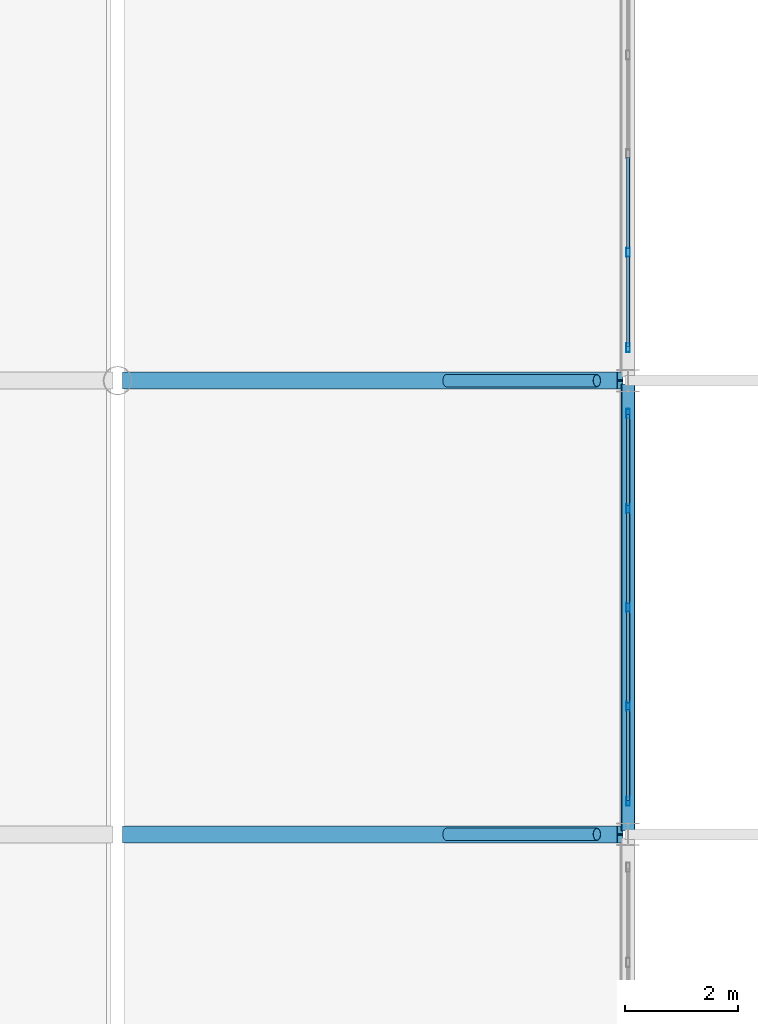
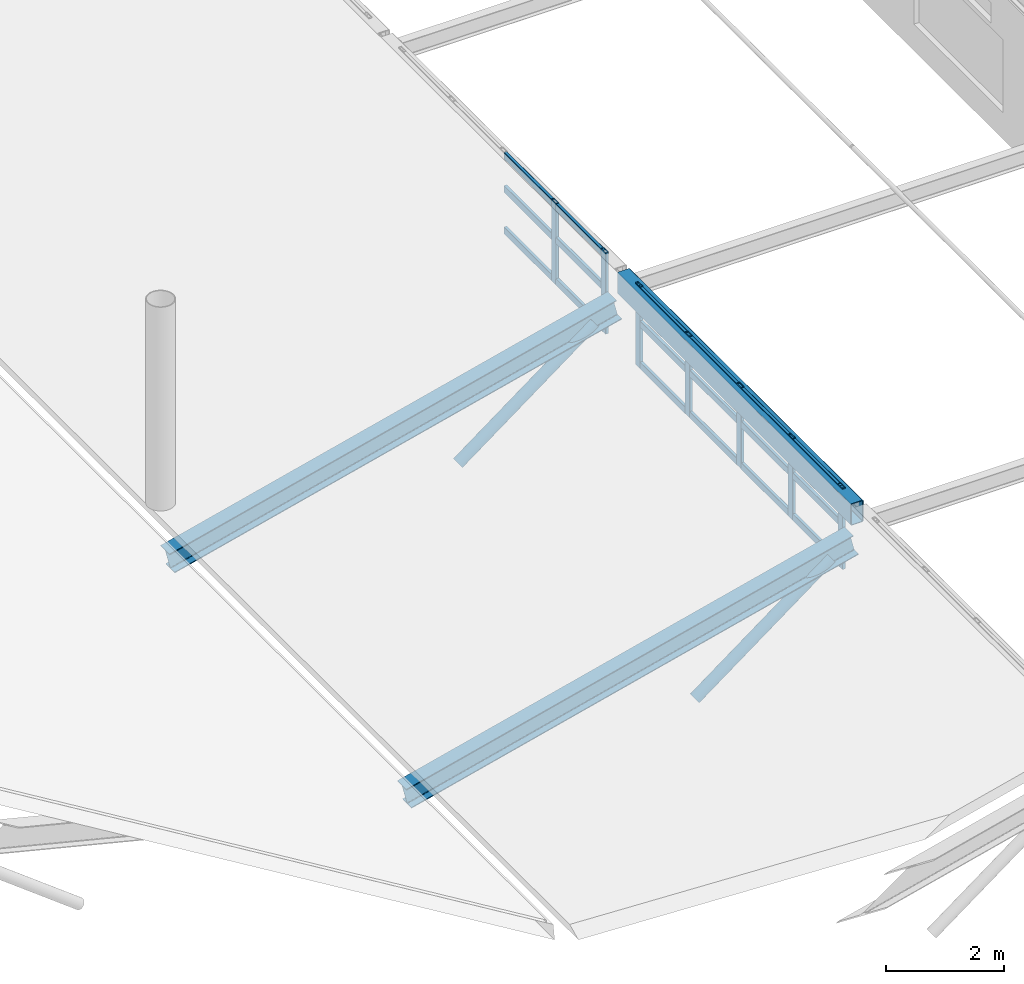
# One storey, part 19 of 128: 27 members, 3 beams, 2 elements without a shape of their own.
"""IFC4 building model written with IfcOpenShell, lengths in metres."""

from ifc_helpers import new_model, si_unit, derived_unit, direction, frame, origin, origin_2d, place, context, subcontext, project, spatial, hollow_rectangle, hollow_circle, i_section, extrude, material, material_profile, profile_set, type_object, element, aggregate, save


model = new_model("IFC4")

# Units and contexts
model_context = context("Model", 3, precision=1e-05, world=origin(), true_north=direction((0.0, 1.0)))
body_context = subcontext(model_context, "Body", "Model", "MODEL_VIEW")
ifc_project = project(units=[si_unit("LENGTHUNIT", "METRE"), si_unit("AREAUNIT", "SQUARE_METRE"), si_unit("VOLUMEUNIT", "CUBIC_METRE"), si_unit("PLANEANGLEUNIT", "RADIAN"), si_unit("MASSUNIT", "GRAM", prefix="KILO"), derived_unit("THERMALTRANSMITTANCEUNIT", [(si_unit("MASSUNIT", "GRAM", prefix="KILO"), 1), (si_unit("TIMEUNIT", "SECOND"), -3), (si_unit("THERMODYNAMICTEMPERATUREUNIT", "KELVIN"), -1)])], contexts=[model_context])

# Site, building, storey
site_placement = place(None, origin())
site = spatial("IfcSite", under=ifc_project, at=site_placement, CompositionType="ELEMENT")
building_placement = place(site_placement, origin())
building = spatial("IfcBuilding", under=site, at=building_placement, Name="Zhenchuan Archway Interchange", CompositionType="ELEMENT")
storey_placement = place(building_placement, frame((0.0, 0.0, 14.39990234375)))
storey = spatial("IfcBuildingStorey", under=building, at=storey_placement, Name="L03", CompositionType="ELEMENT", Elevation=14.39990234375)

# Beams
ifc_material_1 = material(Name="Steel Q390", Category="steel")
ifc_material_profile_1 = material_profile(ifc_material_1, hollow_rectangle(XDim=0.25, YDim=0.449951171875, WallThickness=0.013916015625, InnerFilletRadius=0.013916015625, OuterFilletRadius=0.028076171875, at=origin_2d()), Name="RHS 450x250x14")
ifc_profile_set_1 = profile_set([ifc_material_profile_1], Name="Steel Q390")
beam_type_1 = type_object("IfcBeamType", Name="BM_RING_RHS450", PredefinedType="BEAM", material=ifc_profile_set_1)
beam_placement = place(storey_placement, frame((27.0, 32.06005859375, 1.4501953125), z_axis=(0.0, 1.0, 0.0), x_axis=(-1.0, 0.0, 0.0)))
element("IfcBeam", 1, at=beam_placement, inside=storey, type_object=beam_type_1, Name="CONCOURSE CABLE-NET RING BEAM W-2", PredefinedType="BEAM", context=body_context, shape_type="SweptSolid", body=[
    extrude(hollow_rectangle(XDim=0.25, YDim=0.449951171875, WallThickness=0.013916015625, InnerFilletRadius=0.013916015625, OuterFilletRadius=0.028076171875, at=origin_2d()), origin(), (0.0, 0.0, 1.0), 7.8798828125),
])
ifc_material_2 = material(Name="Steel Q355", Category="steel")
ifc_material_profile_2 = material_profile(ifc_material_2, i_section(OverallWidth=0.300048828125, OverallDepth=0.43994140625, WebThickness=0.010986328125, FlangeThickness=0.01806640625, FilletRadius=0.02197265625, at=origin_2d()), Name="HM 440x300")
ifc_profile_set_2 = profile_set([ifc_material_profile_2], Name="Steel Q355")
beam_type_2 = type_object("IfcBeamType", Name="BM_STL_HM440", PredefinedType="BEAM", material=ifc_profile_set_2)
for number, where, z_axis, x_axis, name in (
    (2, (18.139892578125, 32.0, -1.219970703125), (0.97013930464, 0.0, 0.242548406698), (0.0, 1.0, 0.0), "ROOF TRUSS bus canopy T2 top chord 3"),
    (3, (18.139892578125, 40.0, -1.219970703125), (0.97013930464, 0.0, 0.242548406698), (0.0, 1.0, 0.0), "ROOF TRUSS bus canopy T3 top chord 3"),
):
    element("IfcBeam", number, at=place(storey_placement, frame(where, z_axis=z_axis, x_axis=x_axis)), inside=storey, type_object=beam_type_2, Name=name, PredefinedType="BEAM", context=body_context, shape_type="SweptSolid", body=[
        extrude(i_section(OverallWidth=0.300048828125, OverallDepth=0.43994140625, WebThickness=0.010986328125, FlangeThickness=0.01806640625, FilletRadius=0.02197265625, at=origin_2d()), origin(), (0.0, 0.0, 1.0), 8.988525390625),
    ])

# Curtain wall, members
ifc_material_3 = material(Name="Anodised Aluminium", Category="aluminium")
curtain_wall_type = type_object("IfcCurtainWallType", Name="CW_UNIT_3", PredefinedType="NOTDEFINED", material=ifc_material_3)
curtain_wall_1_placement = place(storey_placement, origin())
curtain_wall_1 = element("IfcCurtainWall", 4, at=curtain_wall_1_placement, inside=storey, type_object=curtain_wall_type, Name="Unitised curtain wall CW:L03:RING-W2", PredefinedType="NOTDEFINED")
ifc_material_profile_3 = material_profile(ifc_material_3, hollow_rectangle(XDim=0.06005859375, YDim=0.159912109375, WallThickness=0.00390625, InnerFilletRadius=0.00390625, OuterFilletRadius=0.008056640625, at=origin_2d()), Name="ALU 160x60x4")
ifc_profile_set_3 = profile_set([ifc_material_profile_3], Name="Anodised Aluminium")
member_type_1 = type_object("IfcMemberType", Name="CW_MUL_150", PredefinedType="MULLION", material=ifc_profile_set_3)
member_1_placement = place(storey_placement, frame((27.0, 32.580078125, 0.02001953125), z_axis=(0.0, 0.0, 1.0), x_axis=(1.0, 0.0, 0.0)))
member_1 = element("IfcMember", 5, at=member_1_placement, type_object=member_type_1, Name="CW:L03:RING-W2 mullion 0", PredefinedType="MULLION", context=body_context, shape_type="SweptSolid", body=[
    extrude(hollow_rectangle(XDim=0.06005859375, YDim=0.159912109375, WallThickness=0.00390625, InnerFilletRadius=0.00390625, OuterFilletRadius=0.008056640625, at=origin_2d()), origin(), (0.0, 0.0, 1.0), 1.68017578125),
])
member_2_placement = place(storey_placement, frame((27.0, 34.260009765625, 0.02001953125), z_axis=(0.0, 0.0, 1.0), x_axis=(1.0, 0.0, 0.0)))
member_2 = element("IfcMember", 6, at=member_2_placement, type_object=member_type_1, Name="CW:L03:RING-W2 mullion 1", PredefinedType="MULLION", context=body_context, shape_type="SweptSolid", body=[
    extrude(hollow_rectangle(XDim=0.06005859375, YDim=0.159912109375, WallThickness=0.00390625, InnerFilletRadius=0.00390625, OuterFilletRadius=0.008056640625, at=origin_2d()), origin(), (0.0, 0.0, 1.0), 1.68017578125),
])
member_3_placement = place(storey_placement, frame((27.0, 36.0, 0.02001953125), z_axis=(0.0, 0.0, 1.0), x_axis=(1.0, 0.0, 0.0)))
member_3 = element("IfcMember", 7, at=member_3_placement, type_object=member_type_1, Name="CW:L03:RING-W2 mullion 2", PredefinedType="MULLION", context=body_context, shape_type="SweptSolid", body=[
    extrude(hollow_rectangle(XDim=0.06005859375, YDim=0.159912109375, WallThickness=0.00390625, InnerFilletRadius=0.00390625, OuterFilletRadius=0.008056640625, at=origin_2d()), origin(), (0.0, 0.0, 1.0), 1.68017578125),
])
member_4_placement = place(storey_placement, frame((27.0, 37.739990234375, 0.02001953125), z_axis=(0.0, 0.0, 1.0), x_axis=(1.0, 0.0, 0.0)))
member_4 = element("IfcMember", 8, at=member_4_placement, type_object=member_type_1, Name="CW:L03:RING-W2 mullion 3", PredefinedType="MULLION", context=body_context, shape_type="SweptSolid", body=[
    extrude(hollow_rectangle(XDim=0.06005859375, YDim=0.159912109375, WallThickness=0.00390625, InnerFilletRadius=0.00390625, OuterFilletRadius=0.008056640625, at=origin_2d()), origin(), (0.0, 0.0, 1.0), 1.68017578125),
])
member_5_placement = place(storey_placement, frame((27.0, 39.419921875, 0.02001953125), z_axis=(0.0, 0.0, 1.0), x_axis=(1.0, 0.0, 0.0)))
member_5 = element("IfcMember", 9, at=member_5_placement, type_object=member_type_1, Name="CW:L03:RING-W2 mullion 4", PredefinedType="MULLION", context=body_context, shape_type="SweptSolid", body=[
    extrude(hollow_rectangle(XDim=0.06005859375, YDim=0.159912109375, WallThickness=0.00390625, InnerFilletRadius=0.00390625, OuterFilletRadius=0.008056640625, at=origin_2d()), origin(), (0.0, 0.0, 1.0), 1.68017578125),
])

curtain_wall_2_placement = place(storey_placement, origin())
curtain_wall_2 = element("IfcCurtainWall", 10, at=curtain_wall_2_placement, inside=storey, type_object=curtain_wall_type, Name="Unitised curtain wall CW:L03:RING-W3", PredefinedType="NOTDEFINED")
member_6_placement = place(storey_placement, frame((27.0, 40.580078125, 0.02001953125), z_axis=(0.0, 0.0, 1.0), x_axis=(1.0, 0.0, 0.0)))
member_6 = element("IfcMember", 11, at=member_6_placement, type_object=member_type_1, Name="CW:L03:RING-W3 mullion 0", PredefinedType="MULLION", context=body_context, shape_type="SweptSolid", body=[
    extrude(hollow_rectangle(XDim=0.06005859375, YDim=0.159912109375, WallThickness=0.00390625, InnerFilletRadius=0.00390625, OuterFilletRadius=0.008056640625, at=origin_2d()), origin(), (0.0, 0.0, 1.0), 1.68017578125),
])
member_7_placement = place(storey_placement, frame((27.0, 42.260009765625, 0.02001953125), z_axis=(0.0, 0.0, 1.0), x_axis=(1.0, 0.0, 0.0)))
member_7 = element("IfcMember", 12, at=member_7_placement, type_object=member_type_1, Name="CW:L03:RING-W3 mullion 1", PredefinedType="MULLION", context=body_context, shape_type="SweptSolid", body=[
    extrude(hollow_rectangle(XDim=0.06005859375, YDim=0.159912109375, WallThickness=0.00390625, InnerFilletRadius=0.00390625, OuterFilletRadius=0.008056640625, at=origin_2d()), origin(), (0.0, 0.0, 1.0), 1.68017578125),
])

# Member
ifc_material_profile_4 = material_profile(ifc_material_3, hollow_rectangle(XDim=0.06005859375, YDim=0.139892578125, WallThickness=0.00341796875, InnerFilletRadius=0.00341796875, OuterFilletRadius=0.007080078125, at=origin_2d()), Name="ALU 140x60x3.5")
ifc_profile_set_4 = profile_set([ifc_material_profile_4], Name="Anodised Aluminium")
member_type_2 = type_object("IfcMemberType", Name="CW_TRN_140", PredefinedType="USERDEFINED", material=ifc_profile_set_4)
member_8_placement = place(storey_placement, frame((27.0, 32.60009765625, 0.080078125), z_axis=(0.0, 1.0, 0.0), x_axis=(-1.0, 0.0, 0.0)))
member_8 = element("IfcMember", 13, at=member_8_placement, type_object=member_type_2, Name="CW:L03:RING-W2 transom 0-1", ObjectType="TRANSOM", PredefinedType="USERDEFINED", context=body_context, shape_type="SweptSolid", body=[
    extrude(hollow_rectangle(XDim=0.06005859375, YDim=0.139892578125, WallThickness=0.00341796875, InnerFilletRadius=0.00341796875, OuterFilletRadius=0.007080078125, at=origin_2d()), origin(), (0.0, 0.0, 1.0), 1.599853515625),
])

member_9_placement = place(storey_placement, frame((27.0, 32.60009765625, 0.93310546875), z_axis=(0.0, 1.0, 0.0), x_axis=(-1.0, 0.0, 0.0)))
member_9 = element("IfcMember", 14, at=member_9_placement, type_object=member_type_2, Name="CW:L03:RING-W2 transom 0-2", ObjectType="TRANSOM", PredefinedType="USERDEFINED", context=body_context, shape_type="SweptSolid", body=[
    extrude(hollow_rectangle(XDim=0.06005859375, YDim=0.139892578125, WallThickness=0.00341796875, InnerFilletRadius=0.00341796875, OuterFilletRadius=0.007080078125, at=origin_2d()), origin(), (0.0, 0.0, 1.0), 1.599853515625),
])

member_10_placement = place(storey_placement, frame((27.0, 32.60009765625, 1.6201171875), z_axis=(0.0, 1.0, 0.0), x_axis=(-1.0, 0.0, 0.0)))
member_10 = element("IfcMember", 15, at=member_10_placement, type_object=member_type_2, Name="CW:L03:RING-W2 transom 0-3", ObjectType="TRANSOM", PredefinedType="USERDEFINED", context=body_context, shape_type="SweptSolid", body=[
    extrude(hollow_rectangle(XDim=0.06005859375, YDim=0.139892578125, WallThickness=0.00341796875, InnerFilletRadius=0.00341796875, OuterFilletRadius=0.007080078125, at=origin_2d()), origin(), (0.0, 0.0, 1.0), 1.599853515625),
])

member_11_placement = place(storey_placement, frame((27.0, 34.320068359375, 0.080078125), z_axis=(0.0, 1.0, 0.0), x_axis=(-1.0, 0.0, 0.0)))
member_11 = element("IfcMember", 16, at=member_11_placement, type_object=member_type_2, Name="CW:L03:RING-W2 transom 1-1", ObjectType="TRANSOM", PredefinedType="USERDEFINED", context=body_context, shape_type="SweptSolid", body=[
    extrude(hollow_rectangle(XDim=0.06005859375, YDim=0.139892578125, WallThickness=0.00341796875, InnerFilletRadius=0.00341796875, OuterFilletRadius=0.007080078125, at=origin_2d()), origin(), (0.0, 0.0, 1.0), 1.619873046875),
])

member_12_placement = place(storey_placement, frame((27.0, 34.320068359375, 0.93310546875), z_axis=(0.0, 1.0, 0.0), x_axis=(-1.0, 0.0, 0.0)))
member_12 = element("IfcMember", 17, at=member_12_placement, type_object=member_type_2, Name="CW:L03:RING-W2 transom 1-2", ObjectType="TRANSOM", PredefinedType="USERDEFINED", context=body_context, shape_type="SweptSolid", body=[
    extrude(hollow_rectangle(XDim=0.06005859375, YDim=0.139892578125, WallThickness=0.00341796875, InnerFilletRadius=0.00341796875, OuterFilletRadius=0.007080078125, at=origin_2d()), origin(), (0.0, 0.0, 1.0), 1.619873046875),
])

member_13_placement = place(storey_placement, frame((27.0, 34.320068359375, 1.6201171875), z_axis=(0.0, 1.0, 0.0), x_axis=(-1.0, 0.0, 0.0)))
member_13 = element("IfcMember", 18, at=member_13_placement, type_object=member_type_2, Name="CW:L03:RING-W2 transom 1-3", ObjectType="TRANSOM", PredefinedType="USERDEFINED", context=body_context, shape_type="SweptSolid", body=[
    extrude(hollow_rectangle(XDim=0.06005859375, YDim=0.139892578125, WallThickness=0.00341796875, InnerFilletRadius=0.00341796875, OuterFilletRadius=0.007080078125, at=origin_2d()), origin(), (0.0, 0.0, 1.0), 1.619873046875),
])

member_14_placement = place(storey_placement, frame((27.0, 36.06005859375, 0.080078125), z_axis=(0.0, 1.0, 0.0), x_axis=(-1.0, 0.0, 0.0)))
member_14 = element("IfcMember", 19, at=member_14_placement, type_object=member_type_2, Name="CW:L03:RING-W2 transom 2-1", ObjectType="TRANSOM", PredefinedType="USERDEFINED", context=body_context, shape_type="SweptSolid", body=[
    extrude(hollow_rectangle(XDim=0.06005859375, YDim=0.139892578125, WallThickness=0.00341796875, InnerFilletRadius=0.00341796875, OuterFilletRadius=0.007080078125, at=origin_2d()), origin(), (0.0, 0.0, 1.0), 1.619873046875),
])

member_15_placement = place(storey_placement, frame((27.0, 36.06005859375, 0.93310546875), z_axis=(0.0, 1.0, 0.0), x_axis=(-1.0, 0.0, 0.0)))
member_15 = element("IfcMember", 20, at=member_15_placement, type_object=member_type_2, Name="CW:L03:RING-W2 transom 2-2", ObjectType="TRANSOM", PredefinedType="USERDEFINED", context=body_context, shape_type="SweptSolid", body=[
    extrude(hollow_rectangle(XDim=0.06005859375, YDim=0.139892578125, WallThickness=0.00341796875, InnerFilletRadius=0.00341796875, OuterFilletRadius=0.007080078125, at=origin_2d()), origin(), (0.0, 0.0, 1.0), 1.619873046875),
])

member_16_placement = place(storey_placement, frame((27.0, 36.06005859375, 1.6201171875), z_axis=(0.0, 1.0, 0.0), x_axis=(-1.0, 0.0, 0.0)))
member_16 = element("IfcMember", 21, at=member_16_placement, type_object=member_type_2, Name="CW:L03:RING-W2 transom 2-3", ObjectType="TRANSOM", PredefinedType="USERDEFINED", context=body_context, shape_type="SweptSolid", body=[
    extrude(hollow_rectangle(XDim=0.06005859375, YDim=0.139892578125, WallThickness=0.00341796875, InnerFilletRadius=0.00341796875, OuterFilletRadius=0.007080078125, at=origin_2d()), origin(), (0.0, 0.0, 1.0), 1.619873046875),
])

member_17_placement = place(storey_placement, frame((27.0, 37.800048828125, 0.080078125), z_axis=(0.0, 1.0, 0.0), x_axis=(-1.0, 0.0, 0.0)))
member_17 = element("IfcMember", 22, at=member_17_placement, type_object=member_type_2, Name="CW:L03:RING-W2 transom 3-1", ObjectType="TRANSOM", PredefinedType="USERDEFINED", context=body_context, shape_type="SweptSolid", body=[
    extrude(hollow_rectangle(XDim=0.06005859375, YDim=0.139892578125, WallThickness=0.00341796875, InnerFilletRadius=0.00341796875, OuterFilletRadius=0.007080078125, at=origin_2d()), origin(), (0.0, 0.0, 1.0), 1.599853515625),
])

member_18_placement = place(storey_placement, frame((27.0, 37.800048828125, 0.93310546875), z_axis=(0.0, 1.0, 0.0), x_axis=(-1.0, 0.0, 0.0)))
member_18 = element("IfcMember", 23, at=member_18_placement, type_object=member_type_2, Name="CW:L03:RING-W2 transom 3-2", ObjectType="TRANSOM", PredefinedType="USERDEFINED", context=body_context, shape_type="SweptSolid", body=[
    extrude(hollow_rectangle(XDim=0.06005859375, YDim=0.139892578125, WallThickness=0.00341796875, InnerFilletRadius=0.00341796875, OuterFilletRadius=0.007080078125, at=origin_2d()), origin(), (0.0, 0.0, 1.0), 1.599853515625),
])

member_19_placement = place(storey_placement, frame((27.0, 37.800048828125, 1.6201171875), z_axis=(0.0, 1.0, 0.0), x_axis=(-1.0, 0.0, 0.0)))
member_19 = element("IfcMember", 24, at=member_19_placement, type_object=member_type_2, Name="CW:L03:RING-W2 transom 3-3", ObjectType="TRANSOM", PredefinedType="USERDEFINED", context=body_context, shape_type="SweptSolid", body=[
    extrude(hollow_rectangle(XDim=0.06005859375, YDim=0.139892578125, WallThickness=0.00341796875, InnerFilletRadius=0.00341796875, OuterFilletRadius=0.007080078125, at=origin_2d()), origin(), (0.0, 0.0, 1.0), 1.599853515625),
])

aggregate(curtain_wall_1, [member_1, member_2, member_3, member_4, member_5, member_8, member_9, member_10, member_11, member_12, member_13, member_14, member_15, member_16, member_17, member_18, member_19])

member_20_placement = place(storey_placement, frame((27.0, 40.60009765625, 0.080078125), z_axis=(0.0, 1.0, 0.0), x_axis=(-1.0, 0.0, 0.0)))
member_20 = element("IfcMember", 25, at=member_20_placement, type_object=member_type_2, Name="CW:L03:RING-W3 transom 0-1", ObjectType="TRANSOM", PredefinedType="USERDEFINED", context=body_context, shape_type="SweptSolid", body=[
    extrude(hollow_rectangle(XDim=0.06005859375, YDim=0.139892578125, WallThickness=0.00341796875, InnerFilletRadius=0.00341796875, OuterFilletRadius=0.007080078125, at=origin_2d()), origin(), (0.0, 0.0, 1.0), 1.599853515625),
])

member_21_placement = place(storey_placement, frame((27.0, 40.60009765625, 0.93310546875), z_axis=(0.0, 1.0, 0.0), x_axis=(-1.0, 0.0, 0.0)))
member_21 = element("IfcMember", 26, at=member_21_placement, type_object=member_type_2, Name="CW:L03:RING-W3 transom 0-2", ObjectType="TRANSOM", PredefinedType="USERDEFINED", context=body_context, shape_type="SweptSolid", body=[
    extrude(hollow_rectangle(XDim=0.06005859375, YDim=0.139892578125, WallThickness=0.00341796875, InnerFilletRadius=0.00341796875, OuterFilletRadius=0.007080078125, at=origin_2d()), origin(), (0.0, 0.0, 1.0), 1.599853515625),
])

member_22_placement = place(storey_placement, frame((27.0, 40.60009765625, 1.6201171875), z_axis=(0.0, 1.0, 0.0), x_axis=(-1.0, 0.0, 0.0)))
member_22 = element("IfcMember", 27, at=member_22_placement, type_object=member_type_2, Name="CW:L03:RING-W3 transom 0-3", ObjectType="TRANSOM", PredefinedType="USERDEFINED", context=body_context, shape_type="SweptSolid", body=[
    extrude(hollow_rectangle(XDim=0.06005859375, YDim=0.139892578125, WallThickness=0.00341796875, InnerFilletRadius=0.00341796875, OuterFilletRadius=0.007080078125, at=origin_2d()), origin(), (0.0, 0.0, 1.0), 1.599853515625),
])

member_23_placement = place(storey_placement, frame((27.0, 42.320068359375, 0.080078125), z_axis=(0.0, 1.0, 0.0), x_axis=(-1.0, 0.0, 0.0)))
member_23 = element("IfcMember", 28, at=member_23_placement, type_object=member_type_2, Name="CW:L03:RING-W3 transom 1-1", ObjectType="TRANSOM", PredefinedType="USERDEFINED", context=body_context, shape_type="SweptSolid", body=[
    extrude(hollow_rectangle(XDim=0.06005859375, YDim=0.139892578125, WallThickness=0.00341796875, InnerFilletRadius=0.00341796875, OuterFilletRadius=0.007080078125, at=origin_2d()), origin(), (0.0, 0.0, 1.0), 1.619873046875),
])

member_24_placement = place(storey_placement, frame((27.0, 42.320068359375, 0.93310546875), z_axis=(0.0, 1.0, 0.0), x_axis=(-1.0, 0.0, 0.0)))
member_24 = element("IfcMember", 29, at=member_24_placement, type_object=member_type_2, Name="CW:L03:RING-W3 transom 1-2", ObjectType="TRANSOM", PredefinedType="USERDEFINED", context=body_context, shape_type="SweptSolid", body=[
    extrude(hollow_rectangle(XDim=0.06005859375, YDim=0.139892578125, WallThickness=0.00341796875, InnerFilletRadius=0.00341796875, OuterFilletRadius=0.007080078125, at=origin_2d()), origin(), (0.0, 0.0, 1.0), 1.619873046875),
])

member_25_placement = place(storey_placement, frame((27.0, 42.320068359375, 1.6201171875), z_axis=(0.0, 1.0, 0.0), x_axis=(-1.0, 0.0, 0.0)))
member_25 = element("IfcMember", 30, at=member_25_placement, type_object=member_type_2, Name="CW:L03:RING-W3 transom 1-3", ObjectType="TRANSOM", PredefinedType="USERDEFINED", context=body_context, shape_type="SweptSolid", body=[
    extrude(hollow_rectangle(XDim=0.06005859375, YDim=0.139892578125, WallThickness=0.00341796875, InnerFilletRadius=0.00341796875, OuterFilletRadius=0.007080078125, at=origin_2d()), origin(), (0.0, 0.0, 1.0), 1.619873046875),
])

aggregate(curtain_wall_2, [member_6, member_7, member_20, member_21, member_22, member_23, member_24, member_25])

# Members
ifc_material_profile_5 = material_profile(ifc_material_2, hollow_circle(Radius=0.109619140625, WallThickness=0.008056640625, at=origin_2d()), Name="CHS 219x8")
ifc_profile_set_5 = profile_set([ifc_material_profile_5], Name="Steel Q355")
member_type_3 = type_object("IfcMemberType", Name="MB_CHS219", PredefinedType="BRACE", material=ifc_profile_set_5)
for number, where, z_axis, x_axis, name in (
    (31, (23.800048828125, 32.0, -1.219970703125), (0.801079207633, 0.0, 0.598558353962), (0.0, 1.0, 0.0), "ROOF TRUSS bus canopy T2 web D3"),
    (32, (23.800048828125, 40.0, -1.219970703125), (0.801079207633, 0.0, 0.598558353962), (0.0, 1.0, 0.0), "ROOF TRUSS bus canopy T3 web D3"),
):
    element("IfcMember", number, at=place(storey_placement, frame(where, z_axis=z_axis, x_axis=x_axis)), inside=storey, type_object=member_type_3, Name=name, PredefinedType="BRACE", context=body_context, shape_type="SweptSolid", body=[
        extrude(hollow_circle(Radius=0.109619140625, WallThickness=0.008056640625, at=origin_2d()), origin(), (0.0, 0.0, 1.0), 3.307861328125),
    ])

save(model, "model.ifc")
